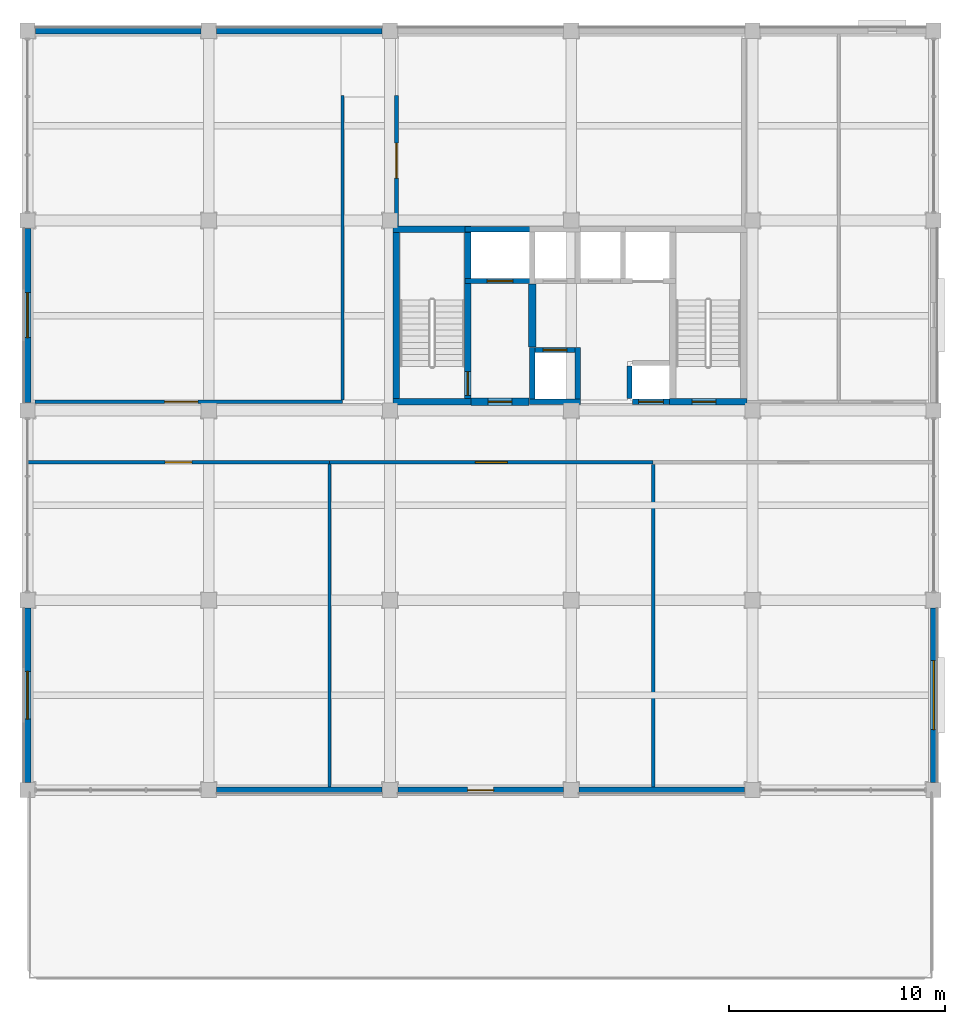
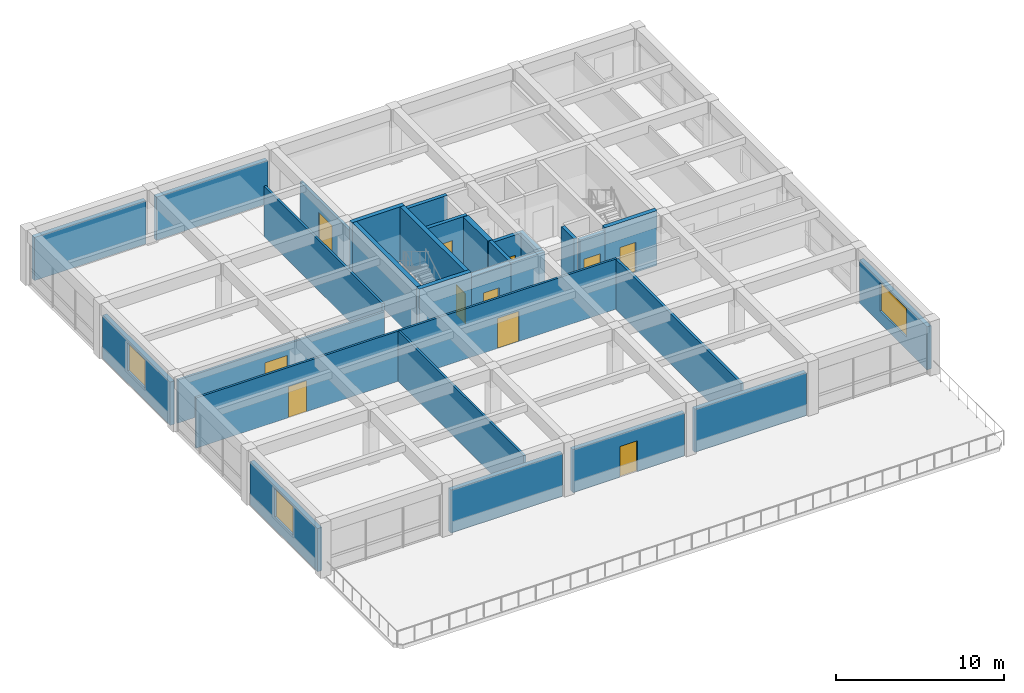
# One storey, part 4 of 8: 30 walls, 11 doors, 3 windows, 14 openings.
"""IFC4 building model written with IfcOpenShell, lengths in metres."""

from ifc_helpers import new_model, si_unit, direction, frame, frame_2d, origin, place, context, subcontext, project, spatial, rectangle, extrude, material, layer, layer_set, type_object, element, fill, save


model = new_model("IFC4")

# Units and contexts
model_context = context("Model", 3, precision=1e-05, world=origin(), true_north=direction((0.0, 1.0)))
body_context = subcontext(model_context, "Body", "Model", "MODEL_VIEW")
ifc_project = project(units=[si_unit("LENGTHUNIT", "METRE"), si_unit("AREAUNIT", "SQUARE_METRE"), si_unit("VOLUMEUNIT", "CUBIC_METRE"), si_unit("PLANEANGLEUNIT", "RADIAN"), si_unit("MASSUNIT", "GRAM", prefix="KILO")], contexts=[model_context])

# Site, building, storey
site_placement = place(None, origin())
site = spatial("IfcSite", under=ifc_project, at=site_placement, CompositionType="ELEMENT")
building_placement = place(site_placement, origin())
building = spatial("IfcBuilding", under=site, at=building_placement, Name="Kemercrest Conservatory and Botanical Centre", CompositionType="ELEMENT")
storey_placement = place(building_placement, frame((0.0, 0.0, 24.800048828125)))
storey = spatial("IfcBuildingStorey", under=building, at=storey_placement, Name="L06", CompositionType="ELEMENT", Elevation=24.800048828125)

# Wall
ifc_material_1 = material(Name="Concrete C50/60", Category="concrete")
ifc_layer_1 = layer(ifc_material_1, 0.35009765625)
ifc_layer_set_1 = layer_set([ifc_layer_1], Name="Concrete C50/60")
wall_type_1 = type_object("IfcWallType", Name="CW-CORE", PredefinedType="SHEAR", material=ifc_layer_set_1)
wall_1_placement = place(storey_placement, frame((157.39990234375, 107.75, 0.0), z_axis=(0.0, 0.0, 1.0), x_axis=(0.0, 1.0, 0.0)))
element("IfcWall", 1, at=wall_1_placement, inside=storey, type_object=wall_type_1, Name="Firefighting lift lobby 2-hour separation shear wall", PredefinedType="SHEAR", context=body_context, shape_type="SweptSolid", body=[
    extrude(rectangle(XDim=2.89990234375, YDim=0.35009765625, at=frame_2d((1.449951171875, 0.0))), origin(), (0.0, 0.0, 1.0), 3.679931640625),
])

# Wall, opening, door
wall_2_placement = place(storey_placement, frame((154.550048828125, 105.199951171875, 0.0), z_axis=(0.0, 0.0, 1.0), x_axis=(1.0, 0.0, 0.0)))
wall_2 = element("IfcWall", 2, at=wall_2_placement, inside=storey, type_object=wall_type_1, Name="Firefighting lift lobby south shear wall", PredefinedType="SHEAR", context=body_context, shape_type="SweptSolid", body=[
    extrude(rectangle(XDim=2.699951171875, YDim=0.35009765625, at=frame_2d((1.35009765625, 0.0))), origin(), (0.0, 0.0, 1.0), 3.679931640625),
])
opening_1_placement = place(wall_2_placement, frame((0.800048828125, 0.0, 0.0)))
opening_1 = element("IfcOpeningElement", 3, at=opening_1_placement, cuts=wall_2, Name="Opening D083", PredefinedType="OPENING", context=body_context, shape_type="SweptSolid", body=[
    extrude(rectangle(XDim=1.10009765625, YDim=2.199951171875, at=frame_2d((0.550048828125, 1.10009765625))), frame((0.0, 0.18505859375, 0.0), z_axis=(0.0, -1.0, 0.0), x_axis=(1.0, 0.0, 0.0)), (0.0, 0.0, 1.0), 0.3701171875),
])
ifc_material_2 = material(Name="Powder-coated galvanized steel and fire-rated vision glass", Category="steel")
door_type_1 = type_object("IfcDoorType", Name="DT-FD90", OperationType="NOTDEFINED", PredefinedType="DOOR", material=ifc_material_2)
door_1_placement = place(opening_1_placement, origin())
door_1 = element("IfcDoor", 4, at=door_1_placement, inside=storey, type_object=door_type_1, Name="Firefighting lift lobby corridor fire door D083", OperationType="SINGLE_SWING_LEFT", OverallHeight=2.199951171875, OverallWidth=1.10009765625, PredefinedType="DOOR", context=body_context, shape_type="SweptSolid", body=[
    extrude(rectangle(XDim=1.10009765625, YDim=2.199951171875, at=frame_2d((0.550048828125, 1.10009765625))), frame((0.0, 0.02490234375, 0.0), z_axis=(0.0, -1.0, 0.0), x_axis=(1.0, 0.0, 0.0)), (0.0, 0.0, 1.0), 0.050048828125),
])
fill(opening_1, door_1)

# Walls
ifc_layer_2 = layer(ifc_material_1, 0.300048828125)
ifc_layer_set_2 = layer_set([ifc_layer_2], Name="Concrete C50/60")
wall_type_2 = type_object("IfcWallType", Name="CW-STAIR", PredefinedType="SHEAR", material=ifc_layer_set_2)
for number, where, z_axis, x_axis, name in (
    (5, (150.949951171875, 105.199951171875, 0.0), (0.0, 0.0, 1.0), (1.0, 0.0, 0.0), "Stair core ST-V4A shear wall S"),
    (6, (150.949951171875, 113.199951171875, 0.0), (0.0, 0.0, 1.0), (1.0, 0.0, 0.0), "Stair core ST-V4A shear wall N"),
):
    element("IfcWall", number, at=place(storey_placement, frame(where, z_axis=z_axis, x_axis=x_axis)), inside=storey, type_object=wall_type_2, Name=name, PredefinedType="SHEAR", context=body_context, shape_type="SweptSolid", body=[
        extrude(rectangle(XDim=3.60009765625, YDim=0.300048828125, at=frame_2d((1.800048828125, 0.0))), origin(), (0.0, 0.0, 1.0), 4.0),
    ])
wall_3_placement = place(storey_placement, frame((151.10009765625, 105.050048828125, 0.0), z_axis=(0.0, 0.0, 1.0), x_axis=(0.0, 1.0, 0.0)))
element("IfcWall", 7, at=wall_3_placement, inside=storey, type_object=wall_type_2, Name="Stair core ST-V4A shear wall W", PredefinedType="SHEAR", context=body_context, shape_type="SweptSolid", body=[
    extrude(rectangle(XDim=8.300048828125, YDim=0.300048828125, at=frame_2d((4.14990234375, 0.0))), origin(), (0.0, 0.0, 1.0), 4.0),
])

# Wall, opening, door
wall_4_placement = place(storey_placement, frame((154.39990234375, 105.050048828125, 0.0), z_axis=(0.0, 0.0, 1.0), x_axis=(0.0, 1.0, 0.0)))
wall_4 = element("IfcWall", 8, at=wall_4_placement, inside=storey, type_object=wall_type_2, Name="Stair core ST-V4A shear wall E", PredefinedType="SHEAR", context=body_context, shape_type="SweptSolid", body=[
    extrude(rectangle(XDim=8.300048828125, YDim=0.300048828125, at=frame_2d((4.14990234375, 0.0))), origin(), (0.0, 0.0, 1.0), 4.0),
])
opening_2_placement = place(wall_4_placement, frame((0.449951171875, 0.0, 0.0)))
opening_2 = element("IfcOpeningElement", 9, at=opening_2_placement, cuts=wall_4, Name="Opening D032", PredefinedType="OPENING", context=body_context, shape_type="SweptSolid", body=[
    extrude(rectangle(XDim=1.10009765625, YDim=2.199951171875, at=frame_2d((0.550048828125, 1.10009765625))), frame((0.0, 0.16015625, 0.0), z_axis=(0.0, -1.0, 0.0), x_axis=(1.0, 0.0, 0.0)), (0.0, 0.0, 1.0), 0.320068359375),
])
door_2_placement = place(opening_2_placement, frame((1.10009765625, 0.0, 0.0), z_axis=(0.0, 0.0, 1.0), x_axis=(-1.0, 0.0, 0.0)))
door_2 = element("IfcDoor", 10, at=door_2_placement, inside=storey, type_object=door_type_1, Name="Exit stair ST-V4A fire door D032", OperationType="SINGLE_SWING_RIGHT", OverallHeight=2.199951171875, OverallWidth=1.10009765625, PredefinedType="DOOR", context=body_context, shape_type="SweptSolid", body=[
    extrude(rectangle(XDim=1.10009765625, YDim=2.199951171875, at=frame_2d((0.550048828125, 1.10009765625))), frame((0.0, 0.02490234375, 0.0), z_axis=(0.0, -1.0, 0.0), x_axis=(1.0, 0.0, 0.0)), (0.0, 0.0, 1.0), 0.050048828125),
])
fill(opening_2, door_2)

wall_5_placement = place(storey_placement, frame((163.75, 105.199951171875, 0.0), z_axis=(0.0, 0.0, 1.0), x_axis=(1.0, 0.0, 0.0)))
wall_5 = element("IfcWall", 11, at=wall_5_placement, inside=storey, type_object=wall_type_2, Name="Stair core ST-V4B shear wall S", PredefinedType="SHEAR", context=body_context, shape_type="SweptSolid", body=[
    extrude(rectangle(XDim=3.60009765625, YDim=0.300048828125, at=frame_2d((1.800048828125, 0.0))), origin(), (0.0, 0.0, 1.0), 4.0),
])
opening_3_placement = place(wall_5_placement, frame((1.050048828125, 0.0, 0.0)))
opening_3 = element("IfcOpeningElement", 12, at=opening_3_placement, cuts=wall_5, Name="Opening D051", PredefinedType="OPENING", context=body_context, shape_type="SweptSolid", body=[
    extrude(rectangle(XDim=1.10009765625, YDim=2.199951171875, at=frame_2d((0.550048828125, 1.10009765625))), frame((0.0, 0.16015625, 0.0), z_axis=(0.0, -1.0, 0.0), x_axis=(1.0, 0.0, 0.0)), (0.0, 0.0, 1.0), 0.320068359375),
])
door_3_placement = place(opening_3_placement, origin())
door_3 = element("IfcDoor", 13, at=door_3_placement, inside=storey, type_object=door_type_1, Name="Exit stair ST-V4B fire door D051", OperationType="SINGLE_SWING_LEFT", OverallHeight=2.199951171875, OverallWidth=1.10009765625, PredefinedType="DOOR", context=body_context, shape_type="SweptSolid", body=[
    extrude(rectangle(XDim=1.10009765625, YDim=2.199951171875, at=frame_2d((0.550048828125, 1.10009765625))), frame((0.0, 0.02490234375, 0.0), z_axis=(0.0, -1.0, 0.0), x_axis=(1.0, 0.0, 0.0)), (0.0, 0.0, 1.0), 0.050048828125),
])
fill(opening_3, door_3)

# Wall
ifc_material_3 = material(Name="Precast concrete C40/50", Category="concrete")
ifc_layer_3 = layer(ifc_material_3, 0.300048828125)
ifc_layer_set_3 = layer_set([ifc_layer_3], Name="Precast concrete C40/50")
wall_type_3 = type_object("IfcWallType", Name="W-EXT300", PredefinedType="SOLIDWALL", material=ifc_layer_set_3)
wall_6_placement = place(storey_placement, frame((142.760009765625, 87.199951171875, 0.0), z_axis=(0.0, 0.0, 1.0), x_axis=(1.0, 0.0, 0.0)))
element("IfcWall", 14, at=wall_6_placement, inside=storey, type_object=wall_type_3, Name="Exterior almasik wall W-EXT300 (WAL:L06:EXT-250)", PredefinedType="SOLIDWALL", context=body_context, shape_type="SweptSolid", body=[
    extrude(rectangle(XDim=7.679931640625, YDim=0.300048828125, at=frame_2d((3.83984375, 0.0))), origin(), (0.0, 0.0, 1.0), 3.14990234375),
])

# Wall, opening, door
wall_7_placement = place(storey_placement, frame((151.159912109375, 87.199951171875, 0.0), z_axis=(0.0, 0.0, 1.0), x_axis=(1.0, 0.0, 0.0)))
wall_7 = element("IfcWall", 15, at=wall_7_placement, inside=storey, type_object=wall_type_3, Name="Exterior almasik wall W-EXT300 (WAL:L06:EXT-251)", PredefinedType="SOLIDWALL", context=body_context, shape_type="SweptSolid", body=[
    extrude(rectangle(XDim=7.68017578125, YDim=0.300048828125, at=frame_2d((3.840087890625, 0.0))), origin(), (0.0, 0.0, 1.0), 3.14990234375),
])
opening_4_placement = place(wall_7_placement, frame((3.239990234375, 0.0, 0.0)))
opening_4 = element("IfcOpeningElement", 16, at=opening_4_placement, cuts=wall_7, Name="Opening ED044", PredefinedType="OPENING", context=body_context, shape_type="SweptSolid", body=[
    extrude(rectangle(XDim=1.199951171875, YDim=2.25, at=frame_2d((0.60009765625, 1.125))), frame((0.0, 0.16015625, 0.0), z_axis=(0.0, -1.0, 0.0), x_axis=(1.0, 0.0, 0.0)), (0.0, 0.0, 1.0), 0.320068359375),
])
ifc_material_4 = material(Name="Thermally broken bronze-anodized aluminium and laminated safety glass", Category="aluminium")
door_type_2 = type_object("IfcDoorType", Name="DT-E04", OperationType="NOTDEFINED", PredefinedType="DOOR", material=ifc_material_4)
door_4_placement = place(opening_4_placement, frame((1.199951171875, 0.0, 0.0), z_axis=(0.0, 0.0, 1.0), x_axis=(-1.0, 0.0, 0.0)))
door_4 = element("IfcDoor", 17, at=door_4_placement, inside=storey, type_object=door_type_2, Name="Herbarium Harbour Setback Terrace Door", OperationType="SINGLE_SWING_RIGHT", OverallHeight=2.25, OverallWidth=1.199951171875, PredefinedType="DOOR", context=body_context, shape_type="SweptSolid", body=[
    extrude(rectangle(XDim=1.199951171875, YDim=2.25, at=frame_2d((0.60009765625, 1.125))), frame((0.0, 0.02490234375, 0.0), z_axis=(0.0, -1.0, 0.0), x_axis=(1.0, 0.0, 0.0)), (0.0, 0.0, 1.0), 0.050048828125),
])
fill(opening_4, door_4)

# Wall
wall_8_placement = place(storey_placement, frame((159.56005859375, 87.199951171875, 0.0), z_axis=(0.0, 0.0, 1.0), x_axis=(1.0, 0.0, 0.0)))
element("IfcWall", 18, at=wall_8_placement, inside=storey, type_object=wall_type_3, Name="Exterior almasik wall W-EXT300 (WAL:L06:EXT-252)", PredefinedType="SOLIDWALL", context=body_context, shape_type="SweptSolid", body=[
    extrude(rectangle(XDim=7.679931640625, YDim=0.300048828125, at=frame_2d((3.83984375, 0.0))), origin(), (0.0, 0.0, 1.0), 3.14990234375),
])

# Wall, opening, window
wall_9_placement = place(storey_placement, frame((176.0, 87.56005859375, 0.0), z_axis=(0.0, 0.0, 1.0), x_axis=(0.0, 1.0, 0.0)))
wall_9 = element("IfcWall", 19, at=wall_9_placement, inside=storey, type_object=wall_type_3, Name="Exterior almasik wall W-EXT300 (WAL:L06:EXT-253)", PredefinedType="SOLIDWALL", context=body_context, shape_type="SweptSolid", body=[
    extrude(rectangle(XDim=8.079833984375, YDim=0.300048828125, at=frame_2d((4.0400390625, 0.0))), origin(), (0.0, 0.0, 1.0), 3.14990234375),
])
opening_5_placement = place(wall_9_placement, frame((2.43994140625, 0.0, 0.89990234375)))
opening_5 = element("IfcOpeningElement", 20, at=opening_5_placement, cuts=wall_9, Name="Opening WT-19", PredefinedType="OPENING", context=body_context, shape_type="SweptSolid", body=[
    extrude(rectangle(XDim=3.199951171875, YDim=2.10009765625, at=frame_2d((1.60009765625, 1.050048828125))), frame((0.0, 0.16015625, 0.0), z_axis=(0.0, -1.0, 0.0), x_axis=(1.0, 0.0, 0.0)), (0.0, 0.0, 1.0), 0.320068359375),
])
ifc_material_5 = material(Name="Thermally broken bronze-anodized aluminium and triple glazing", Category="aluminium")
window_type_1 = type_object("IfcWindowType", Name="WT-19", PartitioningType="SINGLE_PANEL", PredefinedType="WINDOW", material=ifc_material_5)
window_1_placement = place(opening_5_placement, origin())
window_1 = element("IfcWindow", 21, at=window_1_placement, inside=storey, type_object=window_type_1, Name="Exterior window WT-19 (WIN:L06:EXT-253)", OverallHeight=2.10009765625, OverallWidth=3.199951171875, PartitioningType="SINGLE_PANEL", PredefinedType="WINDOW", context=body_context, shape_type="SweptSolid", body=[
    extrude(rectangle(XDim=3.199951171875, YDim=2.10009765625, at=frame_2d((1.60009765625, 1.050048828125))), frame((0.0, 0.030029296875, 0.0), z_axis=(0.0, -1.0, 0.0), x_axis=(1.0, 0.0, 0.0)), (0.0, 0.0, 1.0), 0.06005859375),
])
fill(opening_5, window_1)

# Walls
for number, where, z_axis, x_axis, name in (
    (22, (150.43994140625, 122.39990234375, 0.0), (0.0, 0.0, 1.0), (-1.0, 0.0, 0.0), "Exterior almasik wall W-EXT300 (WAL:L06:EXT-258)"),
    (23, (142.0400390625, 122.39990234375, 0.0), (0.0, 0.0, 1.0), (-1.0, 0.0, 0.0), "Exterior almasik wall W-EXT300 (WAL:L06:EXT-259)"),
):
    element("IfcWall", number, at=place(storey_placement, frame(where, z_axis=z_axis, x_axis=x_axis)), inside=storey, type_object=wall_type_3, Name=name, PredefinedType="SOLIDWALL", context=body_context, shape_type="SweptSolid", body=[
        extrude(rectangle(XDim=7.679931640625, YDim=0.300048828125, at=frame_2d((3.83984375, 0.0))), origin(), (0.0, 0.0, 1.0), 3.14990234375),
    ])

# Wall, opening, window
wall_10_placement = place(storey_placement, frame((134.0, 113.239990234375, 0.0), z_axis=(0.0, 0.0, 1.0), x_axis=(0.0, -1.0, 0.0)))
wall_10 = element("IfcWall", 24, at=wall_10_placement, inside=storey, type_object=wall_type_3, Name="Exterior almasik wall W-EXT300 (WAL:L06:EXT-260)", PredefinedType="SOLIDWALL", context=body_context, shape_type="SweptSolid", body=[
    extrude(rectangle(XDim=8.080078125, YDim=0.300048828125, at=frame_2d((4.0400390625, 0.0))), origin(), (0.0, 0.0, 1.0), 3.14990234375),
])
opening_6_placement = place(wall_10_placement, frame((2.97998046875, 0.0, 0.89990234375)))
opening_6 = element("IfcOpeningElement", 25, at=opening_6_placement, cuts=wall_10, Name="Opening WT-51", PredefinedType="OPENING", context=body_context, shape_type="SweptSolid", body=[
    extrude(rectangle(XDim=2.080078125, YDim=2.0400390625, at=frame_2d((1.0400390625, 1.02001953125))), frame((0.0, 0.16015625, 0.0), z_axis=(0.0, -1.0, 0.0), x_axis=(1.0, 0.0, 0.0)), (0.0, 0.0, 1.0), 0.320068359375),
])
window_type_2 = type_object("IfcWindowType", Name="WT-51", PartitioningType="SINGLE_PANEL", PredefinedType="WINDOW", material=ifc_material_5)
window_2_placement = place(opening_6_placement, origin())
window_2 = element("IfcWindow", 26, at=window_2_placement, inside=storey, type_object=window_type_2, Name="Exterior window WT-51 (WIN:L06:EXT-260)", OverallHeight=2.0400390625, OverallWidth=2.080078125, PartitioningType="SINGLE_PANEL", PredefinedType="WINDOW", context=body_context, shape_type="SweptSolid", body=[
    extrude(rectangle(XDim=2.080078125, YDim=2.0400390625, at=frame_2d((1.0400390625, 1.02001953125))), frame((0.0, 0.030029296875, 0.0), z_axis=(0.0, -1.0, 0.0), x_axis=(1.0, 0.0, 0.0)), (0.0, 0.0, 1.0), 0.06005859375),
])
fill(opening_6, window_2)

wall_11_placement = place(storey_placement, frame((134.0, 95.639892578125, 0.0), z_axis=(0.0, 0.0, 1.0), x_axis=(0.0, -1.0, 0.0)))
wall_11 = element("IfcWall", 27, at=wall_11_placement, inside=storey, type_object=wall_type_3, Name="Exterior almasik wall W-EXT300 (WAL:L06:EXT-261)", PredefinedType="SOLIDWALL", context=body_context, shape_type="SweptSolid", body=[
    extrude(rectangle(XDim=8.079833984375, YDim=0.300048828125, at=frame_2d((4.0400390625, 0.0))), origin(), (0.0, 0.0, 1.0), 3.14990234375),
])
opening_7_placement = place(wall_11_placement, frame((2.929931640625, 0.0, 0.89990234375)))
opening_7 = element("IfcOpeningElement", 28, at=opening_7_placement, cuts=wall_11, Name="Opening WT-52", PredefinedType="OPENING", context=body_context, shape_type="SweptSolid", body=[
    extrude(rectangle(XDim=2.219970703125, YDim=2.080078125, at=frame_2d((1.10986328125, 1.0400390625))), frame((0.0, 0.16015625, 0.0), z_axis=(0.0, -1.0, 0.0), x_axis=(1.0, 0.0, 0.0)), (0.0, 0.0, 1.0), 0.320068359375),
])
window_type_3 = type_object("IfcWindowType", Name="WT-52", PartitioningType="SINGLE_PANEL", PredefinedType="WINDOW", material=ifc_material_5)
window_3_placement = place(opening_7_placement, origin())
window_3 = element("IfcWindow", 29, at=window_3_placement, inside=storey, type_object=window_type_3, Name="Exterior window WT-52 (WIN:L06:EXT-261)", OverallHeight=2.080078125, OverallWidth=2.219970703125, PartitioningType="SINGLE_PANEL", PredefinedType="WINDOW", context=body_context, shape_type="SweptSolid", body=[
    extrude(rectangle(XDim=2.219970703125, YDim=2.080078125, at=frame_2d((1.10986328125, 1.0400390625))), frame((0.0, 0.030029296875, 0.0), z_axis=(0.0, -1.0, 0.0), x_axis=(1.0, 0.0, 0.0)), (0.0, 0.0, 1.0), 0.06005859375),
])
fill(opening_7, window_3)

# Wall, opening, door
ifc_material_6 = material(Name="Concrete C40/50", Category="concrete")
ifc_layer_4 = layer(ifc_material_6, 0.199951171875)
ifc_layer_set_4 = layer_set([ifc_layer_4], Name="Concrete C40/50")
wall_type_4 = type_object("IfcWallType", Name="W-FIRE", PredefinedType="PARTITIONING", material=ifc_layer_set_4)
wall_12_placement = place(storey_placement, frame((151.10009765625, 113.35498046875, 0.0), z_axis=(0.0, 0.0, 1.0), x_axis=(0.0, 1.0, 0.0)))
wall_12 = element("IfcWall", 30, at=wall_12_placement, inside=storey, type_object=wall_type_4, Name="Interior partition W-FIRE #197", PredefinedType="PARTITIONING", context=body_context, shape_type="SweptSolid", body=[
    extrude(rectangle(XDim=6.044921875, YDim=0.199951171875, at=frame_2d((3.0224609375, 0.0))), origin(), (0.0, 0.0, 1.0), 3.14501953125),
])
opening_8_placement = place(wall_12_placement, frame((2.21240234375, 0.0, 0.0)))
opening_8 = element("IfcOpeningElement", 31, at=opening_8_placement, cuts=wall_12, Name="Opening D219", PredefinedType="OPENING", context=body_context, shape_type="SweptSolid", body=[
    extrude(rectangle(XDim=1.6201171875, YDim=2.25, at=frame_2d((0.81005859375, 1.125))), frame((0.0, 0.10986328125, 0.0), z_axis=(0.0, -1.0, 0.0), x_axis=(1.0, 0.0, 0.0)), (0.0, 0.0, 1.0), 0.219970703125),
])
door_type_3 = type_object("IfcDoorType", Name="DT-FD60D", OperationType="DOUBLE_DOOR_SINGLE_SWING", PredefinedType="DOOR", material=ifc_material_2)
door_5_placement = place(opening_8_placement, origin())
door_5 = element("IfcDoor", 32, at=door_5_placement, inside=storey, type_object=door_type_3, Name="Herbarium Archival Vault door D219", OperationType="DOUBLE_DOOR_SINGLE_SWING", OverallHeight=2.25, OverallWidth=1.6201171875, PredefinedType="DOOR", context=body_context, shape_type="SweptSolid", body=[
    extrude(rectangle(XDim=1.6201171875, YDim=2.25, at=frame_2d((0.81005859375, 1.125))), frame((0.0, 0.02490234375, 0.0), z_axis=(0.0, -1.0, 0.0), x_axis=(1.0, 0.0, 0.0)), (0.0, 0.0, 1.0), 0.050048828125),
])
fill(opening_8, door_5)

ifc_material_7 = material(Name="Steel-stud gypsum board partition", Category="steel")
ifc_layer_5 = layer(ifc_material_7, 0.14990234375)
ifc_layer_set_5 = layer_set([ifc_layer_5], Name="Steel-stud gypsum board partition")
wall_type_5 = type_object("IfcWallType", Name="W-PART150", PredefinedType="PARTITIONING", material=ifc_layer_set_5)
wall_13_placement = place(storey_placement, frame((134.0, 102.39990234375, 0.0), z_axis=(0.0, 0.0, 1.0), x_axis=(1.0, 0.0, 0.0)))
wall_13 = element("IfcWall", 33, at=wall_13_placement, inside=storey, type_object=wall_type_5, Name="Interior partition W-PART150 #190", PredefinedType="PARTITIONING", context=body_context, shape_type="SweptSolid", body=[
    extrude(rectangle(XDim=14.0, YDim=0.14990234375, at=frame_2d((7.0, 0.0))), origin(), (0.0, 0.0, 1.0), 3.6650390625),
])
opening_9_placement = place(wall_13_placement, frame((6.3798828125, 0.0, 0.0)))
opening_9 = element("IfcOpeningElement", 34, at=opening_9_placement, cuts=wall_13, Name="Opening D213", PredefinedType="OPENING", context=body_context, shape_type="SweptSolid", body=[
    extrude(rectangle(XDim=1.239990234375, YDim=2.260009765625, at=frame_2d((0.6201171875, 1.1298828125))), frame((0.0, 0.0849609375, 0.0), z_axis=(0.0, -1.0, 0.0), x_axis=(1.0, 0.0, 0.0)), (0.0, 0.0, 1.0), 0.169921875),
])
ifc_material_8 = material(Name="FSC solid-core white oak veneer and anodized aluminium frame", Category="aluminium")
door_type_4 = type_object("IfcDoorType", Name="DT-27", OperationType="NOTDEFINED", PredefinedType="DOOR", material=ifc_material_8)
door_6_placement = place(opening_9_placement, origin())
door_6 = element("IfcDoor", 35, at=door_6_placement, inside=storey, type_object=door_type_4, Name="Herbarium Curation Studio door D213", OperationType="SINGLE_SWING_LEFT", OverallHeight=2.260009765625, OverallWidth=1.239990234375, PredefinedType="DOOR", context=body_context, shape_type="SweptSolid", body=[
    extrude(rectangle(XDim=1.239990234375, YDim=2.260009765625, at=frame_2d((0.6201171875, 1.1298828125))), frame((0.0, 0.02490234375, 0.0), z_axis=(0.0, -1.0, 0.0), x_axis=(1.0, 0.0, 0.0)), (0.0, 0.0, 1.0), 0.050048828125),
])
fill(opening_9, door_6)

wall_14_placement = place(storey_placement, frame((148.0, 102.39990234375, 0.0), z_axis=(0.0, 0.0, 1.0), x_axis=(1.0, 0.0, 0.0)))
wall_14 = element("IfcWall", 36, at=wall_14_placement, inside=storey, type_object=wall_type_5, Name="Interior partition W-PART150 #191", PredefinedType="PARTITIONING", context=body_context, shape_type="SweptSolid", body=[
    extrude(rectangle(XDim=15.0, YDim=0.14990234375, at=frame_2d((7.5, 0.0))), origin(), (0.0, 0.0, 1.0), 3.6650390625),
])
opening_10_placement = place(wall_14_placement, frame((6.760009765625, 0.0, 0.0)))
opening_10 = element("IfcOpeningElement", 37, at=opening_10_placement, cuts=wall_14, Name="Opening D214", PredefinedType="OPENING", context=body_context, shape_type="SweptSolid", body=[
    extrude(rectangle(XDim=1.47998046875, YDim=2.199951171875, at=frame_2d((0.739990234375, 1.10009765625))), frame((0.0, 0.0849609375, 0.0), z_axis=(0.0, -1.0, 0.0), x_axis=(1.0, 0.0, 0.0)), (0.0, 0.0, 1.0), 0.169921875),
])
door_type_5 = type_object("IfcDoorType", Name="DT-09", OperationType="DOUBLE_DOOR_SINGLE_SWING", PredefinedType="DOOR", material=ifc_material_8)
door_7_placement = place(opening_10_placement, origin())
door_7 = element("IfcDoor", 38, at=door_7_placement, inside=storey, type_object=door_type_5, Name="Rare Botanical Folio Library door D214", OperationType="DOUBLE_DOOR_SINGLE_SWING", OverallHeight=2.199951171875, OverallWidth=1.47998046875, PredefinedType="DOOR", context=body_context, shape_type="SweptSolid", body=[
    extrude(rectangle(XDim=1.47998046875, YDim=2.199951171875, at=frame_2d((0.739990234375, 1.10009765625))), frame((0.0, 0.02490234375, 0.0), z_axis=(0.0, -1.0, 0.0), x_axis=(1.0, 0.0, 0.0)), (0.0, 0.0, 1.0), 0.050048828125),
])
fill(opening_10, door_7)

wall_15_placement = place(storey_placement, frame((134.35009765625, 105.199951171875, 0.0), z_axis=(0.0, 0.0, 1.0), x_axis=(1.0, 0.0, 0.0)))
wall_15 = element("IfcWall", 39, at=wall_15_placement, inside=storey, type_object=wall_type_5, Name="Interior partition W-PART150 #193", PredefinedType="PARTITIONING", context=body_context, shape_type="SweptSolid", body=[
    extrude(rectangle(XDim=14.25, YDim=0.14990234375, at=frame_2d((7.125, 0.0))), origin(), (0.0, 0.0, 1.0), 3.14501953125),
])
opening_11_placement = place(wall_15_placement, frame((6.0048828125, 0.0, 0.0)))
opening_11 = element("IfcOpeningElement", 40, at=opening_11_placement, cuts=wall_15, Name="Opening D216", PredefinedType="OPENING", context=body_context, shape_type="SweptSolid", body=[
    extrude(rectangle(XDim=1.5400390625, YDim=2.300048828125, at=frame_2d((0.77001953125, 1.14990234375))), frame((0.0, 0.0849609375, 0.0), z_axis=(0.0, -1.0, 0.0), x_axis=(1.0, 0.0, 0.0)), (0.0, 0.0, 1.0), 0.169921875),
])
door_type_6 = type_object("IfcDoorType", Name="DT-30", OperationType="DOUBLE_DOOR_SINGLE_SWING", PredefinedType="DOOR", material=ifc_material_8)
door_8_placement = place(opening_11_placement, origin())
door_8 = element("IfcDoor", 41, at=door_8_placement, inside=storey, type_object=door_type_6, Name="Senior Curator Office door D216", OperationType="DOUBLE_DOOR_SINGLE_SWING", OverallHeight=2.300048828125, OverallWidth=1.5400390625, PredefinedType="DOOR", context=body_context, shape_type="SweptSolid", body=[
    extrude(rectangle(XDim=1.5400390625, YDim=2.300048828125, at=frame_2d((0.77001953125, 1.14990234375))), frame((0.0, 0.02490234375, 0.0), z_axis=(0.0, -1.0, 0.0), x_axis=(1.0, 0.0, 0.0)), (0.0, 0.0, 1.0), 0.050048828125),
])
fill(opening_11, door_8)

# Walls
wall_16_placement = place(storey_placement, frame((148.60009765625, 105.280029296875, 0.0), z_axis=(0.0, 0.0, 1.0), x_axis=(0.0, 1.0, 0.0)))
element("IfcWall", 42, at=wall_16_placement, inside=storey, type_object=wall_type_5, Name="Interior partition W-PART150 #196", PredefinedType="PARTITIONING", context=body_context, shape_type="SweptSolid", body=[
    extrude(rectangle(XDim=14.119873046875, YDim=0.14990234375, at=frame_2d((7.06005859375, 0.0))), origin(), (0.0, 0.0, 1.0), 3.6650390625),
])
wall_17_placement = place(storey_placement, frame((148.0, 87.35498046875, 0.0), z_axis=(0.0, 0.0, 1.0), x_axis=(0.0, 1.0, 0.0)))
element("IfcWall", 43, at=wall_17_placement, inside=storey, type_object=wall_type_5, Name="Interior partition W-PART150 #198", PredefinedType="PARTITIONING", context=body_context, shape_type="SweptSolid", body=[
    extrude(rectangle(XDim=14.965087890625, YDim=0.14990234375, at=frame_2d((7.482421875, 0.0))), origin(), (0.0, 0.0, 1.0), 3.6650390625),
])
ifc_material_9 = material(Name="Acoustic steel-stud gypsum board assembly", Category="steel")
ifc_layer_6 = layer(ifc_material_9, 0.179931640625)
ifc_layer_set_6 = layer_set([ifc_layer_6], Name="Acoustic steel-stud gypsum board assembly")
wall_type_6 = type_object("IfcWallType", Name="W-PART180", PredefinedType="PARTITIONING", material=ifc_layer_set_6)
wall_18_placement = place(storey_placement, frame((163.0, 87.35498046875, 0.0), z_axis=(0.0, 0.0, 1.0), x_axis=(0.0, 1.0, 0.0)))
element("IfcWall", 44, at=wall_18_placement, inside=storey, type_object=wall_type_6, Name="Interior partition W-PART180 #199", PredefinedType="PARTITIONING", context=body_context, shape_type="SweptSolid", body=[
    extrude(rectangle(XDim=14.949951171875, YDim=0.179931640625, at=frame_2d((7.47509765625, 0.0))), origin(), (0.0, 0.0, 1.0), 3.6650390625),
])

# Wall, opening, door
ifc_layer_7 = layer(ifc_material_6, 0.25)
ifc_layer_set_7 = layer_set([ifc_layer_7], Name="Concrete C40/50")
wall_type_7 = type_object("IfcWallType", Name="W-SHFT250", PredefinedType="SOLIDWALL", material=ifc_layer_set_7)
wall_19_placement = place(storey_placement, frame((154.27490234375, 110.800048828125, 0.0), z_axis=(0.0, 0.0, 1.0), x_axis=(1.0, 0.0, 0.0)))
wall_19 = element("IfcWall", 45, at=wall_19_placement, inside=storey, type_object=wall_type_7, Name="Elevator LF-FF1 shaft wall south", PredefinedType="SOLIDWALL", context=body_context, shape_type="SweptSolid", body=[
    extrude(rectangle(XDim=3.25, YDim=0.25, at=frame_2d((1.625, 0.0))), origin(), (0.0, 0.0, 1.0), 3.679931640625),
])
opening_12_placement = place(wall_19_placement, frame((1.02490234375, 0.0, 0.0)))
opening_12 = element("IfcOpeningElement", 46, at=opening_12_placement, cuts=wall_19, Name="Opening LD-008", PredefinedType="OPENING", context=body_context, shape_type="SweptSolid", body=[
    extrude(rectangle(XDim=1.199951171875, YDim=2.199951171875, at=frame_2d((0.60009765625, 1.10009765625))), frame((0.0, 0.135009765625, 0.0), z_axis=(0.0, -1.0, 0.0), x_axis=(1.0, 0.0, 0.0)), (0.0, 0.0, 1.0), 0.27001953125),
])
door_type_7 = type_object("IfcDoorType", Name="DT-LD02", OperationType="SLIDING_TO_LEFT", PredefinedType="DOOR", material=ifc_material_2)
door_9_placement = place(opening_12_placement, origin())
door_9 = element("IfcDoor", 47, at=door_9_placement, inside=storey, type_object=door_type_7, Name="Elevator LF-FF1 sliding landing door LD-008", OperationType="SLIDING_TO_LEFT", OverallHeight=2.199951171875, OverallWidth=1.199951171875, PredefinedType="DOOR", context=body_context, shape_type="SweptSolid", body=[
    extrude(rectangle(XDim=1.199951171875, YDim=2.199951171875, at=frame_2d((0.60009765625, 1.10009765625))), frame((0.0, 0.02490234375, 0.0), z_axis=(0.0, -1.0, 0.0), x_axis=(1.0, 0.0, 0.0)), (0.0, 0.0, 1.0), 0.050048828125),
])
fill(opening_12, door_9)

# Walls
wall_20_placement = place(storey_placement, frame((154.27490234375, 113.199951171875, 0.0), z_axis=(0.0, 0.0, 1.0), x_axis=(1.0, 0.0, 0.0)))
element("IfcWall", 48, at=wall_20_placement, inside=storey, type_object=wall_type_7, Name="Elevator LF-FF1 shaft wall north", PredefinedType="SOLIDWALL", context=body_context, shape_type="SweptSolid", body=[
    extrude(rectangle(XDim=3.25, YDim=0.25, at=frame_2d((1.625, 0.0))), origin(), (0.0, 0.0, 1.0), 3.679931640625),
])
wall_21_placement = place(storey_placement, frame((157.27490234375, 105.199951171875, 0.0), z_axis=(0.0, 0.0, 1.0), x_axis=(1.0, 0.0, 0.0)))
element("IfcWall", 49, at=wall_21_placement, inside=storey, type_object=wall_type_7, Name="Elevator LF-P3 shaft wall south", PredefinedType="SOLIDWALL", context=body_context, shape_type="SweptSolid", body=[
    extrude(rectangle(XDim=2.35009765625, YDim=0.25, at=frame_2d((1.175048828125, 0.0))), origin(), (0.0, 0.0, 1.0), 3.679931640625),
])

# Wall, opening, door
wall_22_placement = place(storey_placement, frame((157.27490234375, 107.60009765625, 0.0), z_axis=(0.0, 0.0, 1.0), x_axis=(1.0, 0.0, 0.0)))
wall_22 = element("IfcWall", 50, at=wall_22_placement, inside=storey, type_object=wall_type_7, Name="Elevator LF-P3 shaft wall north", PredefinedType="SOLIDWALL", context=body_context, shape_type="SweptSolid", body=[
    extrude(rectangle(XDim=2.35009765625, YDim=0.25, at=frame_2d((1.175048828125, 0.0))), origin(), (0.0, 0.0, 1.0), 3.679931640625),
])
opening_13_placement = place(wall_22_placement, frame((0.625, 0.0, 0.0)))
opening_13 = element("IfcOpeningElement", 51, at=opening_13_placement, cuts=wall_22, Name="Opening LD-064", PredefinedType="OPENING", context=body_context, shape_type="SweptSolid", body=[
    extrude(rectangle(XDim=1.10009765625, YDim=2.199951171875, at=frame_2d((0.550048828125, 1.10009765625))), frame((0.0, 0.135009765625, 0.0), z_axis=(0.0, -1.0, 0.0), x_axis=(1.0, 0.0, 0.0)), (0.0, 0.0, 1.0), 0.27001953125),
])
door_type_8 = type_object("IfcDoorType", Name="DT-LD01", OperationType="SLIDING_TO_LEFT", PredefinedType="DOOR", material=ifc_material_2)
door_10_placement = place(opening_13_placement, origin())
door_10 = element("IfcDoor", 52, at=door_10_placement, inside=storey, type_object=door_type_8, Name="Elevator LF-P3 sliding landing door LD-064", OperationType="SLIDING_TO_LEFT", OverallHeight=2.199951171875, OverallWidth=1.10009765625, PredefinedType="DOOR", context=body_context, shape_type="SweptSolid", body=[
    extrude(rectangle(XDim=1.10009765625, YDim=2.199951171875, at=frame_2d((0.550048828125, 1.10009765625))), frame((0.0, 0.02490234375, 0.0), z_axis=(0.0, -1.0, 0.0), x_axis=(1.0, 0.0, 0.0)), (0.0, 0.0, 1.0), 0.050048828125),
])
fill(opening_13, door_10)

# Walls
for number, where, z_axis, x_axis, name in (
    (53, (157.39990234375, 105.074951171875, 0.0), (0.0, 0.0, 1.0), (0.0, 1.0, 0.0), "Elevator LF-P3 shaft wall west"),
    (54, (159.5, 105.074951171875, 0.0), (0.0, 0.0, 1.0), (0.0, 1.0, 0.0), "Elevator LF-P3 shaft wall east"),
):
    element("IfcWall", number, at=place(storey_placement, frame(where, z_axis=z_axis, x_axis=x_axis)), inside=storey, type_object=wall_type_7, Name=name, PredefinedType="SOLIDWALL", context=body_context, shape_type="SweptSolid", body=[
        extrude(rectangle(XDim=2.650146484375, YDim=0.25, at=frame_2d((1.3251953125, 0.0))), origin(), (0.0, 0.0, 1.0), 3.679931640625),
    ])
wall_23_placement = place(storey_placement, frame((161.89990234375, 105.35009765625, 0.0), z_axis=(0.0, 0.0, 1.0), x_axis=(0.0, 1.0, 0.0)))
element("IfcWall", 55, at=wall_23_placement, inside=storey, type_object=wall_type_7, Name="Core service riser shaft wall W", PredefinedType="SOLIDWALL", context=body_context, shape_type="SweptSolid", body=[
    extrude(rectangle(XDim=1.5, YDim=0.25, at=frame_2d((0.75, 0.0))), origin(), (0.0, 0.0, 1.0), 3.679931640625),
])

# Wall, opening, door
wall_24_placement = place(storey_placement, frame((162.050048828125, 105.199951171875, 0.0), z_axis=(0.0, 0.0, 1.0), x_axis=(1.0, 0.0, 0.0)))
wall_24 = element("IfcWall", 56, at=wall_24_placement, inside=storey, type_object=wall_type_7, Name="Core service riser shaft wall S", PredefinedType="SOLIDWALL", context=body_context, shape_type="SweptSolid", body=[
    extrude(rectangle(XDim=1.699951171875, YDim=0.25, at=frame_2d((0.85009765625, 0.0))), origin(), (0.0, 0.0, 1.0), 3.679931640625),
])
opening_14_placement = place(wall_24_placement, frame((0.27001953125, 0.0, 0.0)))
opening_14 = element("IfcOpeningElement", 57, at=opening_14_placement, cuts=wall_24, Name="Opening D084", PredefinedType="OPENING", context=body_context, shape_type="SweptSolid", body=[
    extrude(rectangle(XDim=1.14990234375, YDim=2.199951171875, at=frame_2d((0.574951171875, 1.10009765625))), frame((0.0, 0.135009765625, 0.0), z_axis=(0.0, -1.0, 0.0), x_axis=(1.0, 0.0, 0.0)), (0.0, 0.0, 1.0), 0.27001953125),
])
door_type_9 = type_object("IfcDoorType", Name="DT-FD60", OperationType="NOTDEFINED", PredefinedType="DOOR", material=ifc_material_2)
door_11_placement = place(opening_14_placement, origin())
door_11 = element("IfcDoor", 58, at=door_11_placement, inside=storey, type_object=door_type_9, Name="Service riser access fire door D084", OperationType="SINGLE_SWING_RIGHT", OverallHeight=2.199951171875, OverallWidth=1.14990234375, PredefinedType="DOOR", context=body_context, shape_type="SweptSolid", body=[
    extrude(rectangle(XDim=1.14990234375, YDim=2.199951171875, at=frame_2d((0.574951171875, 1.10009765625))), frame((0.0, 0.02490234375, 0.0), z_axis=(0.0, -1.0, 0.0), x_axis=(1.0, 0.0, 0.0)), (0.0, 0.0, 1.0), 0.050048828125),
])
fill(opening_14, door_11)

save(model, "model.ifc")
